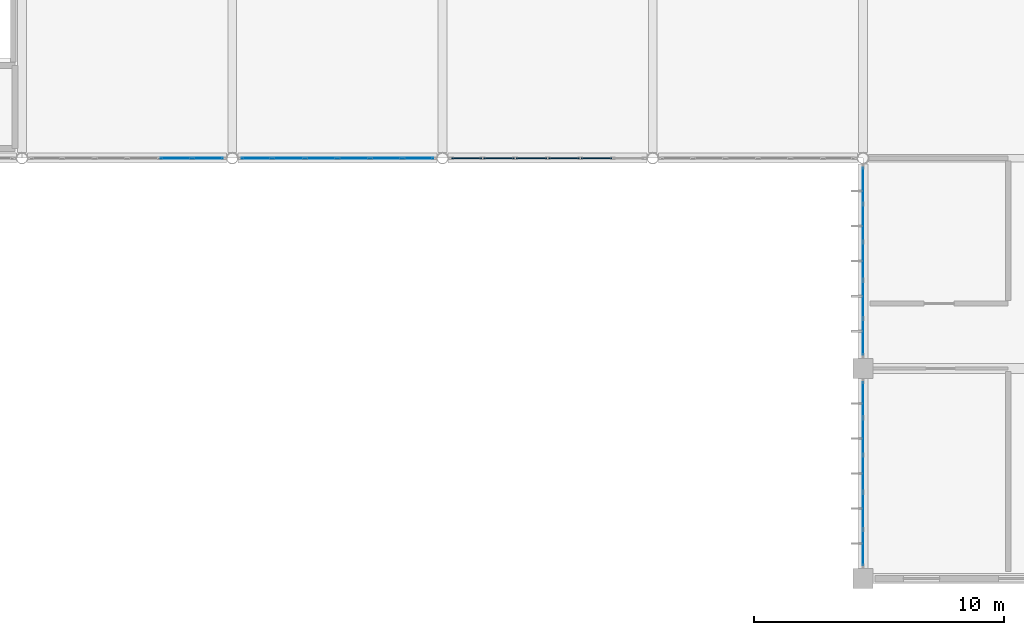
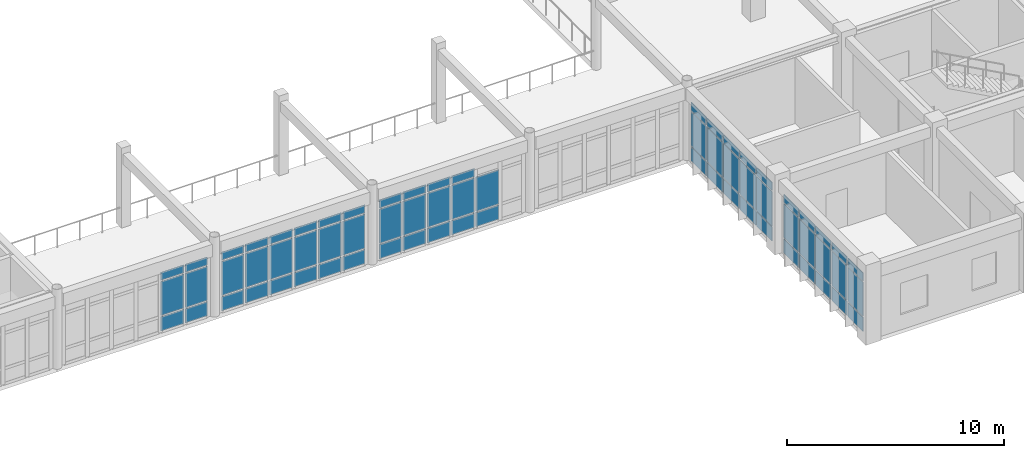
# One storey, part 74 of 144: 68 plates, 5 elements without a shape of their own.
"""IFC4 building model written with IfcOpenShell, lengths in metres."""

import ifcopenshell
import ifcopenshell.guid

model = None  # the IFC model being written
_history = None  # IfcOwnerHistory: only IFC2X3 demands one
_inside = {}  # id of a spatial element -> (the spatial element, [elements in it])
_under = {}  # id of a project, library or spatial element -> (it, [spatial elements below it])
_declared = {}  # id of a project -> (the project, [libraries it declares])
_typed = {}  # id of a type object -> (the type object, [elements of that type])
_made_of = {}  # id of a material, layer set ... -> (it, [elements and type objects made of it])


def new_model(schema):
    """Start an empty IFC model of exactly this schema.

    Asked for "IFC4X3", IfcOpenShell would pick the latest addendum, in which some entities
    have other attributes; the version numbers below select the first issue.
    IFC2X3 requires an IfcOwnerHistory on every rooted entity: one is made here for all.
    """
    global model, _history
    if schema == "IFC4X3":
        model = ifcopenshell.file(schema_version=(4, 3, 0, 0))
    else:
        model = ifcopenshell.file(schema=schema)
    _inside.clear()
    _under.clear()
    _declared.clear()
    _typed.clear()
    _made_of.clear()
    _history = None
    if model.schema == "IFC2X3":
        org = make("IfcOrganization", Name="unknown")
        user = make(
            "IfcPersonAndOrganization",
            ThePerson=make("IfcPerson", FamilyName="unknown"),
            TheOrganization=org,
        )
        app = make(
            "IfcApplication",
            ApplicationDeveloper=org,
            Version="unknown",
            ApplicationFullName="unknown",
            ApplicationIdentifier="unknown",
        )
        _history = make(
            "IfcOwnerHistory",
            OwningUser=user,
            OwningApplication=app,
            ChangeAction="ADDED",
            CreationDate=0,
        )
    return model


def make(cls, **values):
    """One entity of the class cls with the attributes given. An attribute that is None is left unset."""
    return model.create_entity(
        cls, **{name: value for name, value in values.items() if value is not None}
    )


def rooted(cls, **values):
    """An entity with a GlobalId (a new one), such as an element, a storey or a relation."""
    return make(cls, GlobalId=ifcopenshell.guid.new(), OwnerHistory=_history, **values)


def si_unit(unit_type, name, prefix=None):
    """IfcSIUnit, for example si_unit("LENGTHUNIT", "METRE", prefix="MILLI")."""
    return make("IfcSIUnit", UnitType=unit_type, Prefix=prefix, Name=name)


def assignment(units):
    """IfcUnitAssignment: the units of a project."""
    return None if units is None else make("IfcUnitAssignment", Units=units)


def point(xyz):
    """IfcCartesianPoint."""
    return None if xyz is None else make("IfcCartesianPoint", Coordinates=xyz)


def direction(xyz):
    """IfcDirection."""
    return None if xyz is None else make("IfcDirection", DirectionRatios=xyz)


def frame(location, z_axis=None, x_axis=None):
    """IfcAxis2Placement3D, a coordinate frame: its origin and axes. An axis left out is left unset."""
    return make(
        "IfcAxis2Placement3D",
        Location=point(location),
        Axis=direction(z_axis),
        RefDirection=direction(x_axis),
    )


def frame_2d(location, x_axis=None):
    """IfcAxis2Placement2D, a coordinate frame in the plane: its origin and x axis."""
    return make(
        "IfcAxis2Placement2D", Location=point(location), RefDirection=direction(x_axis)
    )


def origin():
    """The frame at (0, 0, 0) with its axes left unset."""
    return frame((0.0, 0.0, 0.0))


def origin_2d():
    """The frame at (0, 0) in the plane with its x axis left unset."""
    return frame_2d((0.0, 0.0))


def place(relative_to, where):
    """IfcLocalPlacement: puts the frame where relative to a parent placement (None: the world)."""
    return make(
        "IfcLocalPlacement", PlacementRelTo=relative_to, RelativePlacement=where
    )


def context(
    kind, dimensions, precision=None, world=None, true_north=None, identifier=None
):
    """IfcGeometricRepresentationContext, for example the 3D "Model" context."""
    return make(
        "IfcGeometricRepresentationContext",
        ContextIdentifier=identifier,
        ContextType=kind,
        CoordinateSpaceDimension=dimensions,
        Precision=precision,
        WorldCoordinateSystem=world,
        TrueNorth=true_north,
    )


def subcontext(parent, identifier, kind, view, scale=None):
    """IfcGeometricRepresentationSubContext, for example "Body" below "Model"."""
    return make(
        "IfcGeometricRepresentationSubContext",
        ContextIdentifier=identifier,
        ContextType=kind,
        ParentContext=parent,
        TargetScale=scale,
        TargetView=view,
    )


def project(units=None, contexts=None):
    """IfcProject with its units and contexts."""
    return rooted(
        "IfcProject",
        Name="project",
        RepresentationContexts=contexts,
        UnitsInContext=assignment(units),
    )


def spatial(cls, under=None, at=None, **own):
    """A site, building, storey or space (cls), placed at a placement, below another one or the project."""
    s = rooted(cls, ObjectPlacement=at, **own)
    if under is not None:
        _under.setdefault(under.id(), (under, []))[1].append(s)
    return s


def profile(cls, at=None, kind="AREA", **sizes):
    """A parametric profile (cls). Its sizes go by their IFC names, for example OverallWidth=200.0."""
    return make(cls, ProfileType=kind, Position=at, **sizes)


def rectangle(**sizes):
    """IfcRectangleProfileDef."""
    return profile("IfcRectangleProfileDef", **sizes)


def extrude(swept, where, along, depth):
    """IfcExtrudedAreaSolid: the profile swept, set in the frame where, extruded along a direction by depth."""
    return make(
        "IfcExtrudedAreaSolid",
        SweptArea=swept,
        Position=where,
        ExtrudedDirection=direction(along),
        Depth=depth,
    )


def shape(context_of_items, identifier, shape_type, items):
    """IfcShapeRepresentation: the items that make up one representation, for example the "Body"."""
    return make(
        "IfcShapeRepresentation",
        ContextOfItems=context_of_items,
        RepresentationIdentifier=identifier,
        RepresentationType=shape_type,
        Items=items,
    )


def material(Name=None, Category=None):
    """IfcMaterial."""
    return make("IfcMaterial", Name=Name, Category=Category)


def layer(
    of_material, thickness, ventilated=None, Name=None, Category=None, Priority=None
):
    """IfcMaterialLayer: one layer of a wall or slab, of a material (None: an air gap)."""
    return make(
        "IfcMaterialLayer",
        Material=of_material,
        LayerThickness=thickness,
        IsVentilated=ventilated,
        Name=Name,
        Category=Category,
        Priority=Priority,
    )


def layer_set(layers, Name=None):
    """IfcMaterialLayerSet."""
    return make("IfcMaterialLayerSet", MaterialLayers=layers, LayerSetName=Name)


def made_of(thing, what):
    """Note that an element or type object is made of a material, layer set ...; save() writes the relation."""
    if what is not None:
        _made_of.setdefault(what.id(), (what, []))[1].append(thing)
    return thing


def type_object(cls, material=None, **own):
    """A type object (cls), such as IfcWallType, which elements share."""
    return made_of(rooted(cls, **own), material)


def element(
    cls,
    number,
    at=None,
    inside=None,
    cuts=None,
    type_object=None,
    material=None,
    context=None,
    identifier="Body",
    shape_type=None,
    held_by="IfcProductDefinitionShape",
    body=None,
    shapes=None,
    **own,
):
    """One element of the class cls, such as IfcWall. Its Tag is "e" and its number.

    at: its placement. inside: the storey or other place that contains it. cuts: it is an
    opening in that element (IfcRelVoidsElement). A single representation is given by context,
    identifier, shape_type and body (its items); several are given by shapes. held_by: the class
    of the entity that holds the representations. save() writes the other relations.
    """
    e = rooted(cls, Tag="e%d" % number, ObjectPlacement=at, **own)
    if body is not None:
        shapes = [shape(context, identifier, shape_type, body)]
    if shapes is not None:
        e.Representation = make(held_by, Representations=shapes)
    if inside is not None:
        _inside.setdefault(inside.id(), (inside, []))[1].append(e)
    if cuts is not None:
        rooted(
            "IfcRelVoidsElement", RelatingBuildingElement=cuts, RelatedOpeningElement=e
        )
    if type_object is not None:
        _typed.setdefault(type_object.id(), (type_object, []))[1].append(e)
    return made_of(e, material)


def aggregate(whole, parts):
    """IfcRelAggregates: a whole, such as a stair, and the parts it consists of."""
    return rooted("IfcRelAggregates", RelatingObject=whole, RelatedObjects=parts)


def save(model, path):
    """Write the relations noted so far, then the file.

    IfcRelAggregates (storeys below a building ...), IfcRelContainedInSpatialStructure (elements
    in a storey), IfcRelDefinesByType, IfcRelAssociatesMaterial and IfcRelDeclares: one each for
    every whole, place, type object, material and project.
    """
    for whole, parts in _under.values():
        aggregate(whole, parts)
    for where, things in _inside.values():
        rooted(
            "IfcRelContainedInSpatialStructure",
            RelatedElements=things,
            RelatingStructure=where,
        )
    for kind, things in _typed.values():
        rooted("IfcRelDefinesByType", RelatedObjects=things, RelatingType=kind)
    for what, things in _made_of.values():
        rooted("IfcRelAssociatesMaterial", RelatedObjects=things, RelatingMaterial=what)
    for by, libraries in _declared.values():
        rooted("IfcRelDeclares", RelatingContext=by, RelatedDefinitions=libraries)
    model.write(path)


model = new_model("IFC4")

# Units and contexts
model_context = context("Model", 3, precision=1e-05, world=origin(), true_north=direction((0.0, 1.0)))
body_context = subcontext(model_context, "Body", "Model", "MODEL_VIEW")
ifc_project = project(units=[si_unit("LENGTHUNIT", "METRE"), si_unit("AREAUNIT", "SQUARE_METRE"), si_unit("VOLUMEUNIT", "CUBIC_METRE"), si_unit("PLANEANGLEUNIT", "RADIAN"), si_unit("MASSUNIT", "GRAM", prefix="KILO")], contexts=[model_context])

# Site, building, storey
site_placement = place(None, origin())
site = spatial("IfcSite", under=ifc_project, at=site_placement, CompositionType="ELEMENT")
building_placement = place(site_placement, origin())
building = spatial("IfcBuilding", under=site, at=building_placement, Name="Bramfleet General Hospital", CompositionType="ELEMENT")
storey_placement = place(building_placement, frame((0.0, 0.0, 4.800048828125)))
storey = spatial("IfcBuildingStorey", under=building, at=storey_placement, Name="L01", CompositionType="ELEMENT", Elevation=4.800048828125)

# Curtain wall, plates
ifc_material_1 = material(Name="Anodised aluminium and low-E triple glazing", Category="aluminium")
ifc_layer_1 = layer(ifc_material_1, 0.179931640625, Name="CWT-CW-05")
ifc_layer_set_1 = layer_set([ifc_layer_1], Name="Anodised aluminium and low-E triple glazing")
curtain_wall_type_1 = type_object("IfcCurtainWallType", Name="CWT-CW-05", PredefinedType="USERDEFINED", material=ifc_layer_set_1)
curtain_wall_1_placement = place(storey_placement, origin())
curtain_wall_1 = element("IfcCurtainWall", 1, at=curtain_wall_1_placement, inside=storey, type_object=curtain_wall_type_1, Name="L01 Curtain Wall 77", ObjectType="Unitised curtain wall", PredefinedType="USERDEFINED")
ifc_material_2 = material(Name="Low-E laminated safety glass", Category="glass")
ifc_layer_2 = layer(ifc_material_2, 0.028076171875, Name="CWP-GLZ-1")
ifc_layer_set_2 = layer_set([ifc_layer_2], Name="Low-E laminated safety glass")
plate_type_1 = type_object("IfcPlateType", Name="CWP-GLZ-1", PredefinedType="CURTAIN_PANEL", material=ifc_layer_set_2)
plate_1_placement = place(storey_placement, frame((92.39990234375, 1.237548828125, 0.06494140625), z_axis=(0.0, 0.0, 1.0), x_axis=(0.0, 1.0, 0.0)))
plate_1 = element("IfcPlate", 2, at=plate_1_placement, type_object=plate_type_1, Name="CW-05 panel 1.1", PredefinedType="CURTAIN_PANEL", context=body_context, shape_type="SweptSolid", body=[
    extrude(rectangle(XDim=1.385009765625, YDim=0.028076171875, at=origin_2d()), origin(), (0.0, 0.0, 1.0), 0.802490234375),
])
plate_2_placement = place(storey_placement, frame((92.39990234375, 1.237548828125, 0.9326171875), z_axis=(0.0, 0.0, 1.0), x_axis=(0.0, 1.0, 0.0)))
plate_2 = element("IfcPlate", 3, at=plate_2_placement, type_object=plate_type_1, Name="CW-05 panel 1.2", PredefinedType="CURTAIN_PANEL", context=body_context, shape_type="SweptSolid", body=[
    extrude(rectangle(XDim=1.385009765625, YDim=0.028076171875, at=origin_2d()), origin(), (0.0, 0.0, 1.0), 1.925048828125),
])
plate_3_placement = place(storey_placement, frame((92.39990234375, 1.237548828125, 2.92236328125), z_axis=(0.0, 0.0, 1.0), x_axis=(0.0, 1.0, 0.0)))
plate_3 = element("IfcPlate", 4, at=plate_3_placement, type_object=plate_type_1, Name="CW-05 panel 1.3", PredefinedType="CURTAIN_PANEL", context=body_context, shape_type="SweptSolid", body=[
    extrude(rectangle(XDim=1.385009765625, YDim=0.028076171875, at=origin_2d()), origin(), (0.0, 0.0, 1.0), 0.452392578125),
])
plate_4_placement = place(storey_placement, frame((92.39990234375, 2.7099609375, 0.06494140625), z_axis=(0.0, 0.0, 1.0), x_axis=(0.0, 1.0, 0.0)))
plate_4 = element("IfcPlate", 5, at=plate_4_placement, type_object=plate_type_1, Name="CW-05 panel 2.1", PredefinedType="CURTAIN_PANEL", context=body_context, shape_type="SweptSolid", body=[
    extrude(rectangle(XDim=1.419921875, YDim=0.028076171875, at=origin_2d()), origin(), (0.0, 0.0, 1.0), 0.802490234375),
])
plate_5_placement = place(storey_placement, frame((92.39990234375, 2.7099609375, 0.9326171875), z_axis=(0.0, 0.0, 1.0), x_axis=(0.0, 1.0, 0.0)))
plate_5 = element("IfcPlate", 6, at=plate_5_placement, type_object=plate_type_1, Name="CW-05 panel 2.2", PredefinedType="CURTAIN_PANEL", context=body_context, shape_type="SweptSolid", body=[
    extrude(rectangle(XDim=1.419921875, YDim=0.028076171875, at=origin_2d()), origin(), (0.0, 0.0, 1.0), 1.925048828125),
])
plate_6_placement = place(storey_placement, frame((92.39990234375, 2.7099609375, 2.92236328125), z_axis=(0.0, 0.0, 1.0), x_axis=(0.0, 1.0, 0.0)))
plate_6 = element("IfcPlate", 7, at=plate_6_placement, type_object=plate_type_1, Name="CW-05 panel 2.3", PredefinedType="CURTAIN_PANEL", context=body_context, shape_type="SweptSolid", body=[
    extrude(rectangle(XDim=1.419921875, YDim=0.028076171875, at=origin_2d()), origin(), (0.0, 0.0, 1.0), 0.452392578125),
])
plate_7_placement = place(storey_placement, frame((92.39990234375, 4.199951171875, 0.06494140625), z_axis=(0.0, 0.0, 1.0), x_axis=(0.0, 1.0, 0.0)))
plate_7 = element("IfcPlate", 8, at=plate_7_placement, type_object=plate_type_1, Name="CW-05 panel 3.1", PredefinedType="CURTAIN_PANEL", context=body_context, shape_type="SweptSolid", body=[
    extrude(rectangle(XDim=1.419921875, YDim=0.028076171875, at=origin_2d()), origin(), (0.0, 0.0, 1.0), 0.802490234375),
])
plate_8_placement = place(storey_placement, frame((92.39990234375, 4.199951171875, 0.9326171875), z_axis=(0.0, 0.0, 1.0), x_axis=(0.0, 1.0, 0.0)))
plate_8 = element("IfcPlate", 9, at=plate_8_placement, type_object=plate_type_1, Name="CW-05 panel 3.2", PredefinedType="CURTAIN_PANEL", context=body_context, shape_type="SweptSolid", body=[
    extrude(rectangle(XDim=1.419921875, YDim=0.028076171875, at=origin_2d()), origin(), (0.0, 0.0, 1.0), 1.925048828125),
])
plate_9_placement = place(storey_placement, frame((92.39990234375, 4.199951171875, 2.92236328125), z_axis=(0.0, 0.0, 1.0), x_axis=(0.0, 1.0, 0.0)))
plate_9 = element("IfcPlate", 10, at=plate_9_placement, type_object=plate_type_1, Name="CW-05 panel 3.3", PredefinedType="CURTAIN_PANEL", context=body_context, shape_type="SweptSolid", body=[
    extrude(rectangle(XDim=1.419921875, YDim=0.028076171875, at=origin_2d()), origin(), (0.0, 0.0, 1.0), 0.452392578125),
])
plate_10_placement = place(storey_placement, frame((92.39990234375, 5.68994140625, 0.06494140625), z_axis=(0.0, 0.0, 1.0), x_axis=(0.0, 1.0, 0.0)))
plate_10 = element("IfcPlate", 11, at=plate_10_placement, type_object=plate_type_1, Name="CW-05 panel 4.1", PredefinedType="CURTAIN_PANEL", context=body_context, shape_type="SweptSolid", body=[
    extrude(rectangle(XDim=1.419921875, YDim=0.028076171875, at=origin_2d()), origin(), (0.0, 0.0, 1.0), 0.802490234375),
])
plate_11_placement = place(storey_placement, frame((92.39990234375, 5.68994140625, 0.9326171875), z_axis=(0.0, 0.0, 1.0), x_axis=(0.0, 1.0, 0.0)))
plate_11 = element("IfcPlate", 12, at=plate_11_placement, type_object=plate_type_1, Name="CW-05 panel 4.2", PredefinedType="CURTAIN_PANEL", context=body_context, shape_type="SweptSolid", body=[
    extrude(rectangle(XDim=1.419921875, YDim=0.028076171875, at=origin_2d()), origin(), (0.0, 0.0, 1.0), 1.925048828125),
])
plate_12_placement = place(storey_placement, frame((92.39990234375, 5.68994140625, 2.92236328125), z_axis=(0.0, 0.0, 1.0), x_axis=(0.0, 1.0, 0.0)))
plate_12 = element("IfcPlate", 13, at=plate_12_placement, type_object=plate_type_1, Name="CW-05 panel 4.3", PredefinedType="CURTAIN_PANEL", context=body_context, shape_type="SweptSolid", body=[
    extrude(rectangle(XDim=1.419921875, YDim=0.028076171875, at=origin_2d()), origin(), (0.0, 0.0, 1.0), 0.452392578125),
])
plate_13_placement = place(storey_placement, frame((92.39990234375, 7.16259765625, 0.06494140625), z_axis=(0.0, 0.0, 1.0), x_axis=(0.0, 1.0, 0.0)))
plate_13 = element("IfcPlate", 14, at=plate_13_placement, type_object=plate_type_1, Name="CW-05 panel 5.1", PredefinedType="CURTAIN_PANEL", context=body_context, shape_type="SweptSolid", body=[
    extrude(rectangle(XDim=1.385009765625, YDim=0.028076171875, at=origin_2d()), origin(), (0.0, 0.0, 1.0), 0.802490234375),
])
plate_14_placement = place(storey_placement, frame((92.39990234375, 7.16259765625, 0.9326171875), z_axis=(0.0, 0.0, 1.0), x_axis=(0.0, 1.0, 0.0)))
plate_14 = element("IfcPlate", 15, at=plate_14_placement, type_object=plate_type_1, Name="CW-05 panel 5.2", PredefinedType="CURTAIN_PANEL", context=body_context, shape_type="SweptSolid", body=[
    extrude(rectangle(XDim=1.385009765625, YDim=0.028076171875, at=origin_2d()), origin(), (0.0, 0.0, 1.0), 1.925048828125),
])
plate_15_placement = place(storey_placement, frame((92.39990234375, 7.16259765625, 2.92236328125), z_axis=(0.0, 0.0, 1.0), x_axis=(0.0, 1.0, 0.0)))
plate_15 = element("IfcPlate", 16, at=plate_15_placement, type_object=plate_type_1, Name="CW-05 panel 5.3", PredefinedType="CURTAIN_PANEL", context=body_context, shape_type="SweptSolid", body=[
    extrude(rectangle(XDim=1.385009765625, YDim=0.028076171875, at=origin_2d()), origin(), (0.0, 0.0, 1.0), 0.452392578125),
])
aggregate(curtain_wall_1, [plate_1, plate_2, plate_3, plate_4, plate_5, plate_6, plate_7, plate_8, plate_9, plate_10, plate_11, plate_12, plate_13, plate_14, plate_15])

ifc_layer_3 = layer(ifc_material_1, 0.179931640625, Name="CWT-CW-09")
ifc_layer_set_3 = layer_set([ifc_layer_3], Name="Anodised aluminium and low-E triple glazing")
curtain_wall_type_2 = type_object("IfcCurtainWallType", Name="CWT-CW-09", PredefinedType="USERDEFINED", material=ifc_layer_set_3)
curtain_wall_2_placement = place(storey_placement, origin())
curtain_wall_2 = element("IfcCurtainWall", 17, at=curtain_wall_2_placement, inside=storey, type_object=curtain_wall_type_2, Name="L01 Curtain Wall 81", ObjectType="Unitised curtain wall", PredefinedType="USERDEFINED")
plate_16_placement = place(storey_placement, frame((74.6279296875, 16.800048828125, 0.06494140625), z_axis=(0.0, 0.0, 1.0), x_axis=(-1.0, 0.0, 0.0)))
plate_16 = element("IfcPlate", 18, at=plate_16_placement, type_object=plate_type_1, Name="CW-09 panel 1.1", PredefinedType="CURTAIN_PANEL", context=body_context, shape_type="SweptSolid", body=[
    extrude(rectangle(XDim=1.186279296875, YDim=0.028076171875, at=origin_2d()), origin(), (0.0, 0.0, 1.0), 0.802490234375),
])
plate_17_placement = place(storey_placement, frame((74.6279296875, 16.800048828125, 0.9326171875), z_axis=(0.0, 0.0, 1.0), x_axis=(-1.0, 0.0, 0.0)))
plate_17 = element("IfcPlate", 19, at=plate_17_placement, type_object=plate_type_1, Name="CW-09 panel 1.2", PredefinedType="CURTAIN_PANEL", context=body_context, shape_type="SweptSolid", body=[
    extrude(rectangle(XDim=1.186279296875, YDim=0.028076171875, at=origin_2d()), origin(), (0.0, 0.0, 1.0), 1.925048828125),
])
plate_18_placement = place(storey_placement, frame((74.6279296875, 16.800048828125, 2.92236328125), z_axis=(0.0, 0.0, 1.0), x_axis=(-1.0, 0.0, 0.0)))
plate_18 = element("IfcPlate", 20, at=plate_18_placement, type_object=plate_type_1, Name="CW-09 panel 1.3", PredefinedType="CURTAIN_PANEL", context=body_context, shape_type="SweptSolid", body=[
    extrude(rectangle(XDim=1.186279296875, YDim=0.028076171875, at=origin_2d()), origin(), (0.0, 0.0, 1.0), 0.452392578125),
])
plate_19_placement = place(storey_placement, frame((73.347900390625, 16.800048828125, 0.06494140625), z_axis=(0.0, 0.0, 1.0), x_axis=(-1.0, 0.0, 0.0)))
plate_19 = element("IfcPlate", 21, at=plate_19_placement, type_object=plate_type_1, Name="CW-09 panel 2.1", PredefinedType="CURTAIN_PANEL", context=body_context, shape_type="SweptSolid", body=[
    extrude(rectangle(XDim=1.2236328125, YDim=0.028076171875, at=origin_2d()), origin(), (0.0, 0.0, 1.0), 0.802490234375),
])
plate_20_placement = place(storey_placement, frame((73.347900390625, 16.800048828125, 0.9326171875), z_axis=(0.0, 0.0, 1.0), x_axis=(-1.0, 0.0, 0.0)))
plate_20 = element("IfcPlate", 22, at=plate_20_placement, type_object=plate_type_1, Name="CW-09 panel 2.2", PredefinedType="CURTAIN_PANEL", context=body_context, shape_type="SweptSolid", body=[
    extrude(rectangle(XDim=1.2236328125, YDim=0.028076171875, at=origin_2d()), origin(), (0.0, 0.0, 1.0), 1.925048828125),
])
plate_21_placement = place(storey_placement, frame((73.347900390625, 16.800048828125, 2.92236328125), z_axis=(0.0, 0.0, 1.0), x_axis=(-1.0, 0.0, 0.0)))
plate_21 = element("IfcPlate", 23, at=plate_21_placement, type_object=plate_type_1, Name="CW-09 panel 2.3", PredefinedType="CURTAIN_PANEL", context=body_context, shape_type="SweptSolid", body=[
    extrude(rectangle(XDim=1.2236328125, YDim=0.028076171875, at=origin_2d()), origin(), (0.0, 0.0, 1.0), 0.452392578125),
])
plate_22_placement = place(storey_placement, frame((72.04931640625, 16.800048828125, 0.06494140625), z_axis=(0.0, 0.0, 1.0), x_axis=(-1.0, 0.0, 0.0)))
plate_22 = element("IfcPlate", 24, at=plate_22_placement, type_object=plate_type_1, Name="CW-09 panel 3.1", PredefinedType="CURTAIN_PANEL", context=body_context, shape_type="SweptSolid", body=[
    extrude(rectangle(XDim=1.2236328125, YDim=0.028076171875, at=origin_2d()), origin(), (0.0, 0.0, 1.0), 0.802490234375),
])
plate_23_placement = place(storey_placement, frame((72.04931640625, 16.800048828125, 0.9326171875), z_axis=(0.0, 0.0, 1.0), x_axis=(-1.0, 0.0, 0.0)))
plate_23 = element("IfcPlate", 25, at=plate_23_placement, type_object=plate_type_1, Name="CW-09 panel 3.2", PredefinedType="CURTAIN_PANEL", context=body_context, shape_type="SweptSolid", body=[
    extrude(rectangle(XDim=1.2236328125, YDim=0.028076171875, at=origin_2d()), origin(), (0.0, 0.0, 1.0), 1.925048828125),
])
plate_24_placement = place(storey_placement, frame((72.04931640625, 16.800048828125, 2.92236328125), z_axis=(0.0, 0.0, 1.0), x_axis=(-1.0, 0.0, 0.0)))
plate_24 = element("IfcPlate", 26, at=plate_24_placement, type_object=plate_type_1, Name="CW-09 panel 3.3", PredefinedType="CURTAIN_PANEL", context=body_context, shape_type="SweptSolid", body=[
    extrude(rectangle(XDim=1.2236328125, YDim=0.028076171875, at=origin_2d()), origin(), (0.0, 0.0, 1.0), 0.452392578125),
])
plate_25_placement = place(storey_placement, frame((70.750732421875, 16.800048828125, 0.06494140625), z_axis=(0.0, 0.0, 1.0), x_axis=(-1.0, 0.0, 0.0)))
plate_25 = element("IfcPlate", 27, at=plate_25_placement, type_object=plate_type_1, Name="CW-09 panel 4.1", PredefinedType="CURTAIN_PANEL", context=body_context, shape_type="SweptSolid", body=[
    extrude(rectangle(XDim=1.2236328125, YDim=0.028076171875, at=origin_2d()), origin(), (0.0, 0.0, 1.0), 0.802490234375),
])
plate_26_placement = place(storey_placement, frame((70.750732421875, 16.800048828125, 0.9326171875), z_axis=(0.0, 0.0, 1.0), x_axis=(-1.0, 0.0, 0.0)))
plate_26 = element("IfcPlate", 28, at=plate_26_placement, type_object=plate_type_1, Name="CW-09 panel 4.2", PredefinedType="CURTAIN_PANEL", context=body_context, shape_type="SweptSolid", body=[
    extrude(rectangle(XDim=1.2236328125, YDim=0.028076171875, at=origin_2d()), origin(), (0.0, 0.0, 1.0), 1.925048828125),
])
plate_27_placement = place(storey_placement, frame((70.750732421875, 16.800048828125, 2.92236328125), z_axis=(0.0, 0.0, 1.0), x_axis=(-1.0, 0.0, 0.0)))
plate_27 = element("IfcPlate", 29, at=plate_27_placement, type_object=plate_type_1, Name="CW-09 panel 4.3", PredefinedType="CURTAIN_PANEL", context=body_context, shape_type="SweptSolid", body=[
    extrude(rectangle(XDim=1.2236328125, YDim=0.028076171875, at=origin_2d()), origin(), (0.0, 0.0, 1.0), 0.452392578125),
])
plate_28_placement = place(storey_placement, frame((69.451904296875, 16.800048828125, 0.06494140625), z_axis=(0.0, 0.0, 1.0), x_axis=(-1.0, 0.0, 0.0)))
plate_28 = element("IfcPlate", 30, at=plate_28_placement, type_object=plate_type_1, Name="CW-09 panel 5.1", PredefinedType="CURTAIN_PANEL", context=body_context, shape_type="SweptSolid", body=[
    extrude(rectangle(XDim=1.2236328125, YDim=0.028076171875, at=origin_2d()), origin(), (0.0, 0.0, 1.0), 0.802490234375),
])
plate_29_placement = place(storey_placement, frame((69.451904296875, 16.800048828125, 0.9326171875), z_axis=(0.0, 0.0, 1.0), x_axis=(-1.0, 0.0, 0.0)))
plate_29 = element("IfcPlate", 31, at=plate_29_placement, type_object=plate_type_1, Name="CW-09 panel 5.2", PredefinedType="CURTAIN_PANEL", context=body_context, shape_type="SweptSolid", body=[
    extrude(rectangle(XDim=1.2236328125, YDim=0.028076171875, at=origin_2d()), origin(), (0.0, 0.0, 1.0), 1.925048828125),
])
plate_30_placement = place(storey_placement, frame((69.451904296875, 16.800048828125, 2.92236328125), z_axis=(0.0, 0.0, 1.0), x_axis=(-1.0, 0.0, 0.0)))
plate_30 = element("IfcPlate", 32, at=plate_30_placement, type_object=plate_type_1, Name="CW-09 panel 5.3", PredefinedType="CURTAIN_PANEL", context=body_context, shape_type="SweptSolid", body=[
    extrude(rectangle(XDim=1.2236328125, YDim=0.028076171875, at=origin_2d()), origin(), (0.0, 0.0, 1.0), 0.452392578125),
])
plate_31_placement = place(storey_placement, frame((68.172119140625, 16.800048828125, 0.06494140625), z_axis=(0.0, 0.0, 1.0), x_axis=(-1.0, 0.0, 0.0)))
plate_31 = element("IfcPlate", 33, at=plate_31_placement, type_object=plate_type_1, Name="CW-09 panel 6.1", PredefinedType="CURTAIN_PANEL", context=body_context, shape_type="SweptSolid", body=[
    extrude(rectangle(XDim=1.186279296875, YDim=0.028076171875, at=origin_2d()), origin(), (0.0, 0.0, 1.0), 0.802490234375),
])
plate_32_placement = place(storey_placement, frame((68.172119140625, 16.800048828125, 0.9326171875), z_axis=(0.0, 0.0, 1.0), x_axis=(-1.0, 0.0, 0.0)))
plate_32 = element("IfcPlate", 34, at=plate_32_placement, type_object=plate_type_1, Name="CW-09 panel 6.2", PredefinedType="CURTAIN_PANEL", context=body_context, shape_type="SweptSolid", body=[
    extrude(rectangle(XDim=1.186279296875, YDim=0.028076171875, at=origin_2d()), origin(), (0.0, 0.0, 1.0), 1.925048828125),
])
plate_33_placement = place(storey_placement, frame((68.172119140625, 16.800048828125, 2.92236328125), z_axis=(0.0, 0.0, 1.0), x_axis=(-1.0, 0.0, 0.0)))
plate_33 = element("IfcPlate", 35, at=plate_33_placement, type_object=plate_type_1, Name="CW-09 panel 6.3", PredefinedType="CURTAIN_PANEL", context=body_context, shape_type="SweptSolid", body=[
    extrude(rectangle(XDim=1.186279296875, YDim=0.028076171875, at=origin_2d()), origin(), (0.0, 0.0, 1.0), 0.452392578125),
])
aggregate(curtain_wall_2, [plate_16, plate_17, plate_18, plate_19, plate_20, plate_21, plate_22, plate_23, plate_24, plate_25, plate_26, plate_27, plate_28, plate_29, plate_30, plate_31, plate_32, plate_33])

ifc_layer_4 = layer(ifc_material_1, 0.179931640625, Name="CWT-CW-06")
ifc_layer_set_4 = layer_set([ifc_layer_4], Name="Anodised aluminium and low-E triple glazing")
curtain_wall_type_3 = type_object("IfcCurtainWallType", Name="CWT-CW-06", PredefinedType="USERDEFINED", material=ifc_layer_set_4)
curtain_wall_3_placement = place(storey_placement, origin())
curtain_wall_3 = element("IfcCurtainWall", 36, at=curtain_wall_3_placement, inside=storey, type_object=curtain_wall_type_3, Name="L01 Curtain Wall 78", ObjectType="Unitised curtain wall", PredefinedType="USERDEFINED")
ifc_layer_5 = layer(ifc_material_2, 0.031982421875, Name="CWP-GLZ-2")
ifc_layer_set_5 = layer_set([ifc_layer_5], Name="Low-E laminated safety glass")
plate_type_2 = type_object("IfcPlateType", Name="CWP-GLZ-2", PredefinedType="CURTAIN_PANEL", material=ifc_layer_set_5)
plate_34_placement = place(storey_placement, frame((92.39990234375, 9.65478515625, 0.06494140625), z_axis=(0.0, 0.0, 1.0), x_axis=(0.0, 1.0, 0.0)))
plate_34 = element("IfcPlate", 37, at=plate_34_placement, type_object=plate_type_2, Name="CW-06 panel 1.1", PredefinedType="CURTAIN_PANEL", context=body_context, shape_type="SweptSolid", body=[
    extrude(rectangle(XDim=1.41943359375, YDim=0.031982421875, at=origin_2d()), origin(), (0.0, 0.0, 1.0), 0.802490234375),
])
plate_35_placement = place(storey_placement, frame((92.39990234375, 9.65478515625, 0.9326171875), z_axis=(0.0, 0.0, 1.0), x_axis=(0.0, 1.0, 0.0)))
plate_35 = element("IfcPlate", 38, at=plate_35_placement, type_object=plate_type_2, Name="CW-06 panel 1.2", PredefinedType="CURTAIN_PANEL", context=body_context, shape_type="SweptSolid", body=[
    extrude(rectangle(XDim=1.41943359375, YDim=0.031982421875, at=origin_2d()), origin(), (0.0, 0.0, 1.0), 1.925048828125),
])
plate_36_placement = place(storey_placement, frame((92.39990234375, 9.65478515625, 2.92236328125), z_axis=(0.0, 0.0, 1.0), x_axis=(0.0, 1.0, 0.0)))
plate_36 = element("IfcPlate", 39, at=plate_36_placement, type_object=plate_type_2, Name="CW-06 panel 1.3", PredefinedType="CURTAIN_PANEL", context=body_context, shape_type="SweptSolid", body=[
    extrude(rectangle(XDim=1.41943359375, YDim=0.031982421875, at=origin_2d()), origin(), (0.0, 0.0, 1.0), 0.452392578125),
])
plate_37_placement = place(storey_placement, frame((92.39990234375, 11.16162109375, 0.06494140625), z_axis=(0.0, 0.0, 1.0), x_axis=(0.0, 1.0, 0.0)))
plate_37 = element("IfcPlate", 40, at=plate_37_placement, type_object=plate_type_2, Name="CW-06 panel 2.1", PredefinedType="CURTAIN_PANEL", context=body_context, shape_type="SweptSolid", body=[
    extrude(rectangle(XDim=1.454345703125, YDim=0.031982421875, at=origin_2d()), origin(), (0.0, 0.0, 1.0), 0.802490234375),
])
plate_38_placement = place(storey_placement, frame((92.39990234375, 11.16162109375, 0.9326171875), z_axis=(0.0, 0.0, 1.0), x_axis=(0.0, 1.0, 0.0)))
plate_38 = element("IfcPlate", 41, at=plate_38_placement, type_object=plate_type_2, Name="CW-06 panel 2.2", PredefinedType="CURTAIN_PANEL", context=body_context, shape_type="SweptSolid", body=[
    extrude(rectangle(XDim=1.454345703125, YDim=0.031982421875, at=origin_2d()), origin(), (0.0, 0.0, 1.0), 1.925048828125),
])
plate_39_placement = place(storey_placement, frame((92.39990234375, 11.16162109375, 2.92236328125), z_axis=(0.0, 0.0, 1.0), x_axis=(0.0, 1.0, 0.0)))
plate_39 = element("IfcPlate", 42, at=plate_39_placement, type_object=plate_type_2, Name="CW-06 panel 2.3", PredefinedType="CURTAIN_PANEL", context=body_context, shape_type="SweptSolid", body=[
    extrude(rectangle(XDim=1.454345703125, YDim=0.031982421875, at=origin_2d()), origin(), (0.0, 0.0, 1.0), 0.452392578125),
])
plate_40_placement = place(storey_placement, frame((92.39990234375, 12.68603515625, 0.06494140625), z_axis=(0.0, 0.0, 1.0), x_axis=(0.0, 1.0, 0.0)))
plate_40 = element("IfcPlate", 43, at=plate_40_placement, type_object=plate_type_2, Name="CW-06 panel 3.1", PredefinedType="CURTAIN_PANEL", context=body_context, shape_type="SweptSolid", body=[
    extrude(rectangle(XDim=1.454345703125, YDim=0.031982421875, at=origin_2d()), origin(), (0.0, 0.0, 1.0), 0.802490234375),
])
plate_41_placement = place(storey_placement, frame((92.39990234375, 12.68603515625, 0.9326171875), z_axis=(0.0, 0.0, 1.0), x_axis=(0.0, 1.0, 0.0)))
plate_41 = element("IfcPlate", 44, at=plate_41_placement, type_object=plate_type_2, Name="CW-06 panel 3.2", PredefinedType="CURTAIN_PANEL", context=body_context, shape_type="SweptSolid", body=[
    extrude(rectangle(XDim=1.454345703125, YDim=0.031982421875, at=origin_2d()), origin(), (0.0, 0.0, 1.0), 1.925048828125),
])
plate_42_placement = place(storey_placement, frame((92.39990234375, 12.68603515625, 2.92236328125), z_axis=(0.0, 0.0, 1.0), x_axis=(0.0, 1.0, 0.0)))
plate_42 = element("IfcPlate", 45, at=plate_42_placement, type_object=plate_type_2, Name="CW-06 panel 3.3", PredefinedType="CURTAIN_PANEL", context=body_context, shape_type="SweptSolid", body=[
    extrude(rectangle(XDim=1.454345703125, YDim=0.031982421875, at=origin_2d()), origin(), (0.0, 0.0, 1.0), 0.452392578125),
])
plate_43_placement = place(storey_placement, frame((92.39990234375, 14.21044921875, 0.06494140625), z_axis=(0.0, 0.0, 1.0), x_axis=(0.0, 1.0, 0.0)))
plate_43 = element("IfcPlate", 46, at=plate_43_placement, type_object=plate_type_2, Name="CW-06 panel 4.1", PredefinedType="CURTAIN_PANEL", context=body_context, shape_type="SweptSolid", body=[
    extrude(rectangle(XDim=1.454345703125, YDim=0.031982421875, at=origin_2d()), origin(), (0.0, 0.0, 1.0), 0.802490234375),
])
plate_44_placement = place(storey_placement, frame((92.39990234375, 14.21044921875, 0.9326171875), z_axis=(0.0, 0.0, 1.0), x_axis=(0.0, 1.0, 0.0)))
plate_44 = element("IfcPlate", 47, at=plate_44_placement, type_object=plate_type_2, Name="CW-06 panel 4.2", PredefinedType="CURTAIN_PANEL", context=body_context, shape_type="SweptSolid", body=[
    extrude(rectangle(XDim=1.454345703125, YDim=0.031982421875, at=origin_2d()), origin(), (0.0, 0.0, 1.0), 1.925048828125),
])
plate_45_placement = place(storey_placement, frame((92.39990234375, 14.21044921875, 2.92236328125), z_axis=(0.0, 0.0, 1.0), x_axis=(0.0, 1.0, 0.0)))
plate_45 = element("IfcPlate", 48, at=plate_45_placement, type_object=plate_type_2, Name="CW-06 panel 4.3", PredefinedType="CURTAIN_PANEL", context=body_context, shape_type="SweptSolid", body=[
    extrude(rectangle(XDim=1.454345703125, YDim=0.031982421875, at=origin_2d()), origin(), (0.0, 0.0, 1.0), 0.452392578125),
])
plate_46_placement = place(storey_placement, frame((92.39990234375, 15.71728515625, 0.06494140625), z_axis=(0.0, 0.0, 1.0), x_axis=(0.0, 1.0, 0.0)))
plate_46 = element("IfcPlate", 49, at=plate_46_placement, type_object=plate_type_2, Name="CW-06 panel 5.1", PredefinedType="CURTAIN_PANEL", context=body_context, shape_type="SweptSolid", body=[
    extrude(rectangle(XDim=1.41943359375, YDim=0.031982421875, at=origin_2d()), origin(), (0.0, 0.0, 1.0), 0.802490234375),
])
plate_47_placement = place(storey_placement, frame((92.39990234375, 15.71728515625, 0.9326171875), z_axis=(0.0, 0.0, 1.0), x_axis=(0.0, 1.0, 0.0)))
plate_47 = element("IfcPlate", 50, at=plate_47_placement, type_object=plate_type_2, Name="CW-06 panel 5.2", PredefinedType="CURTAIN_PANEL", context=body_context, shape_type="SweptSolid", body=[
    extrude(rectangle(XDim=1.41943359375, YDim=0.031982421875, at=origin_2d()), origin(), (0.0, 0.0, 1.0), 1.925048828125),
])
plate_48_placement = place(storey_placement, frame((92.39990234375, 15.71728515625, 2.92236328125), z_axis=(0.0, 0.0, 1.0), x_axis=(0.0, 1.0, 0.0)))
plate_48 = element("IfcPlate", 51, at=plate_48_placement, type_object=plate_type_2, Name="CW-06 panel 5.3", PredefinedType="CURTAIN_PANEL", context=body_context, shape_type="SweptSolid", body=[
    extrude(rectangle(XDim=1.41943359375, YDim=0.031982421875, at=origin_2d()), origin(), (0.0, 0.0, 1.0), 0.452392578125),
])
aggregate(curtain_wall_3, [plate_34, plate_35, plate_36, plate_37, plate_38, plate_39, plate_40, plate_41, plate_42, plate_43, plate_44, plate_45, plate_46, plate_47, plate_48])

ifc_layer_6 = layer(ifc_material_1, 0.179931640625, Name="CWT-CW-10")
ifc_layer_set_6 = layer_set([ifc_layer_6], Name="Anodised aluminium and low-E triple glazing")
curtain_wall_type_4 = type_object("IfcCurtainWallType", Name="CWT-CW-10", PredefinedType="USERDEFINED", material=ifc_layer_set_6)
curtain_wall_4_placement = place(storey_placement, origin())
curtain_wall_4 = element("IfcCurtainWall", 52, at=curtain_wall_4_placement, inside=storey, type_object=curtain_wall_type_4, Name="L01 Curtain Wall 82", ObjectType="Stick curtain wall", PredefinedType="USERDEFINED")
plate_49_placement = place(storey_placement, frame((66.228759765625, 16.800048828125, 0.06494140625), z_axis=(0.0, 0.0, 1.0), x_axis=(-1.0, 0.0, 0.0)))
plate_49 = element("IfcPlate", 53, at=plate_49_placement, type_object=plate_type_2, Name="CW-10 panel 1.1", PredefinedType="CURTAIN_PANEL", context=body_context, shape_type="SweptSolid", body=[
    extrude(rectangle(XDim=1.1865234375, YDim=0.031982421875, at=origin_2d()), origin(), (0.0, 0.0, 1.0), 0.802490234375),
])
plate_50_placement = place(storey_placement, frame((66.228759765625, 16.800048828125, 0.9326171875), z_axis=(0.0, 0.0, 1.0), x_axis=(-1.0, 0.0, 0.0)))
plate_50 = element("IfcPlate", 54, at=plate_50_placement, type_object=plate_type_2, Name="CW-10 panel 1.2", PredefinedType="CURTAIN_PANEL", context=body_context, shape_type="SweptSolid", body=[
    extrude(rectangle(XDim=1.1865234375, YDim=0.031982421875, at=origin_2d()), origin(), (0.0, 0.0, 1.0), 1.925048828125),
])
plate_51_placement = place(storey_placement, frame((66.228759765625, 16.800048828125, 2.92236328125), z_axis=(0.0, 0.0, 1.0), x_axis=(-1.0, 0.0, 0.0)))
plate_51 = element("IfcPlate", 55, at=plate_51_placement, type_object=plate_type_2, Name="CW-10 panel 1.3", PredefinedType="CURTAIN_PANEL", context=body_context, shape_type="SweptSolid", body=[
    extrude(rectangle(XDim=1.1865234375, YDim=0.031982421875, at=origin_2d()), origin(), (0.0, 0.0, 1.0), 0.452392578125),
])
plate_52_placement = place(storey_placement, frame((64.948486328125, 16.800048828125, 0.06494140625), z_axis=(0.0, 0.0, 1.0), x_axis=(-1.0, 0.0, 0.0)))
plate_52 = element("IfcPlate", 56, at=plate_52_placement, type_object=plate_type_2, Name="CW-10 panel 2.1", PredefinedType="CURTAIN_PANEL", context=body_context, shape_type="SweptSolid", body=[
    extrude(rectangle(XDim=1.22412109375, YDim=0.031982421875, at=origin_2d()), origin(), (0.0, 0.0, 1.0), 0.802490234375),
])
plate_53_placement = place(storey_placement, frame((64.948486328125, 16.800048828125, 0.9326171875), z_axis=(0.0, 0.0, 1.0), x_axis=(-1.0, 0.0, 0.0)))
plate_53 = element("IfcPlate", 57, at=plate_53_placement, type_object=plate_type_2, Name="CW-10 panel 2.2", PredefinedType="CURTAIN_PANEL", context=body_context, shape_type="SweptSolid", body=[
    extrude(rectangle(XDim=1.22412109375, YDim=0.031982421875, at=origin_2d()), origin(), (0.0, 0.0, 1.0), 1.925048828125),
])
plate_54_placement = place(storey_placement, frame((64.948486328125, 16.800048828125, 2.92236328125), z_axis=(0.0, 0.0, 1.0), x_axis=(-1.0, 0.0, 0.0)))
plate_54 = element("IfcPlate", 58, at=plate_54_placement, type_object=plate_type_2, Name="CW-10 panel 2.3", PredefinedType="CURTAIN_PANEL", context=body_context, shape_type="SweptSolid", body=[
    extrude(rectangle(XDim=1.22412109375, YDim=0.031982421875, at=origin_2d()), origin(), (0.0, 0.0, 1.0), 0.452392578125),
])
aggregate(curtain_wall_4, [plate_49, plate_50, plate_51, plate_52, plate_53, plate_54])

ifc_layer_7 = layer(ifc_material_1, 0.179931640625, Name="CWT-CW-08")
ifc_layer_set_7 = layer_set([ifc_layer_7], Name="Anodised aluminium and low-E triple glazing")
curtain_wall_type_5 = type_object("IfcCurtainWallType", Name="CWT-CW-08", PredefinedType="USERDEFINED", material=ifc_layer_set_7)
curtain_wall_5_placement = place(storey_placement, origin())
curtain_wall_5 = element("IfcCurtainWall", 59, at=curtain_wall_5_placement, inside=storey, type_object=curtain_wall_type_5, Name="L01 Curtain Wall 80", ObjectType="Unitised curtain wall", PredefinedType="USERDEFINED")
ifc_layer_8 = layer(ifc_material_2, 0.0419921875, Name="CWP-GLZ-4")
ifc_layer_set_8 = layer_set([ifc_layer_8], Name="Low-E laminated safety glass")
plate_type_3 = type_object("IfcPlateType", Name="CWP-GLZ-4", PredefinedType="CURTAIN_PANEL", material=ifc_layer_set_8)
plate_55_placement = place(storey_placement, frame((81.74853515625, 16.800048828125, 0.06494140625), z_axis=(0.0, 0.0, 1.0), x_axis=(-1.0, 0.0, 0.0)))
plate_55 = element("IfcPlate", 60, at=plate_55_placement, type_object=plate_type_3, Name="CW-08 panel 2.1", PredefinedType="CURTAIN_PANEL", context=body_context, shape_type="SweptSolid", body=[
    extrude(rectangle(XDim=1.22412109375, YDim=0.0419921875, at=origin_2d()), origin(), (0.0, 0.0, 1.0), 0.802490234375),
])
plate_56_placement = place(storey_placement, frame((81.74853515625, 16.800048828125, 0.9326171875), z_axis=(0.0, 0.0, 1.0), x_axis=(-1.0, 0.0, 0.0)))
plate_56 = element("IfcPlate", 61, at=plate_56_placement, type_object=plate_type_3, Name="CW-08 panel 2.2", PredefinedType="CURTAIN_PANEL", context=body_context, shape_type="SweptSolid", body=[
    extrude(rectangle(XDim=1.22412109375, YDim=0.0419921875, at=origin_2d()), origin(), (0.0, 0.0, 1.0), 1.925048828125),
])
plate_57_placement = place(storey_placement, frame((80.449462890625, 16.800048828125, 0.06494140625), z_axis=(0.0, 0.0, 1.0), x_axis=(-1.0, 0.0, 0.0)))
plate_57 = element("IfcPlate", 62, at=plate_57_placement, type_object=plate_type_3, Name="CW-08 panel 3.1", PredefinedType="CURTAIN_PANEL", context=body_context, shape_type="SweptSolid", body=[
    extrude(rectangle(XDim=1.22412109375, YDim=0.0419921875, at=origin_2d()), origin(), (0.0, 0.0, 1.0), 0.802490234375),
])
plate_58_placement = place(storey_placement, frame((80.449462890625, 16.800048828125, 0.9326171875), z_axis=(0.0, 0.0, 1.0), x_axis=(-1.0, 0.0, 0.0)))
plate_58 = element("IfcPlate", 63, at=plate_58_placement, type_object=plate_type_3, Name="CW-08 panel 3.2", PredefinedType="CURTAIN_PANEL", context=body_context, shape_type="SweptSolid", body=[
    extrude(rectangle(XDim=1.22412109375, YDim=0.0419921875, at=origin_2d()), origin(), (0.0, 0.0, 1.0), 1.925048828125),
])
plate_59_placement = place(storey_placement, frame((80.449462890625, 16.800048828125, 2.92236328125), z_axis=(0.0, 0.0, 1.0), x_axis=(-1.0, 0.0, 0.0)))
plate_59 = element("IfcPlate", 64, at=plate_59_placement, type_object=plate_type_3, Name="CW-08 panel 3.3", PredefinedType="CURTAIN_PANEL", context=body_context, shape_type="SweptSolid", body=[
    extrude(rectangle(XDim=1.22412109375, YDim=0.0419921875, at=origin_2d()), origin(), (0.0, 0.0, 1.0), 0.452392578125),
])
plate_60_placement = place(storey_placement, frame((79.150390625, 16.800048828125, 0.06494140625), z_axis=(0.0, 0.0, 1.0), x_axis=(-1.0, 0.0, 0.0)))
plate_60 = element("IfcPlate", 65, at=plate_60_placement, type_object=plate_type_3, Name="CW-08 panel 4.1", PredefinedType="CURTAIN_PANEL", context=body_context, shape_type="SweptSolid", body=[
    extrude(rectangle(XDim=1.22412109375, YDim=0.0419921875, at=origin_2d()), origin(), (0.0, 0.0, 1.0), 0.802490234375),
])
plate_61_placement = place(storey_placement, frame((79.150390625, 16.800048828125, 0.9326171875), z_axis=(0.0, 0.0, 1.0), x_axis=(-1.0, 0.0, 0.0)))
plate_61 = element("IfcPlate", 66, at=plate_61_placement, type_object=plate_type_3, Name="CW-08 panel 4.2", PredefinedType="CURTAIN_PANEL", context=body_context, shape_type="SweptSolid", body=[
    extrude(rectangle(XDim=1.22412109375, YDim=0.0419921875, at=origin_2d()), origin(), (0.0, 0.0, 1.0), 1.925048828125),
])
plate_62_placement = place(storey_placement, frame((79.150390625, 16.800048828125, 2.92236328125), z_axis=(0.0, 0.0, 1.0), x_axis=(-1.0, 0.0, 0.0)))
plate_62 = element("IfcPlate", 67, at=plate_62_placement, type_object=plate_type_3, Name="CW-08 panel 4.3", PredefinedType="CURTAIN_PANEL", context=body_context, shape_type="SweptSolid", body=[
    extrude(rectangle(XDim=1.22412109375, YDim=0.0419921875, at=origin_2d()), origin(), (0.0, 0.0, 1.0), 0.452392578125),
])
plate_63_placement = place(storey_placement, frame((77.8515625, 16.800048828125, 0.06494140625), z_axis=(0.0, 0.0, 1.0), x_axis=(-1.0, 0.0, 0.0)))
plate_63 = element("IfcPlate", 68, at=plate_63_placement, type_object=plate_type_3, Name="CW-08 panel 5.1", PredefinedType="CURTAIN_PANEL", context=body_context, shape_type="SweptSolid", body=[
    extrude(rectangle(XDim=1.22412109375, YDim=0.0419921875, at=origin_2d()), origin(), (0.0, 0.0, 1.0), 0.802490234375),
])
plate_64_placement = place(storey_placement, frame((77.8515625, 16.800048828125, 0.9326171875), z_axis=(0.0, 0.0, 1.0), x_axis=(-1.0, 0.0, 0.0)))
plate_64 = element("IfcPlate", 69, at=plate_64_placement, type_object=plate_type_3, Name="CW-08 panel 5.2", PredefinedType="CURTAIN_PANEL", context=body_context, shape_type="SweptSolid", body=[
    extrude(rectangle(XDim=1.22412109375, YDim=0.0419921875, at=origin_2d()), origin(), (0.0, 0.0, 1.0), 1.925048828125),
])
plate_65_placement = place(storey_placement, frame((77.8515625, 16.800048828125, 2.92236328125), z_axis=(0.0, 0.0, 1.0), x_axis=(-1.0, 0.0, 0.0)))
plate_65 = element("IfcPlate", 70, at=plate_65_placement, type_object=plate_type_3, Name="CW-08 panel 5.3", PredefinedType="CURTAIN_PANEL", context=body_context, shape_type="SweptSolid", body=[
    extrude(rectangle(XDim=1.22412109375, YDim=0.0419921875, at=origin_2d()), origin(), (0.0, 0.0, 1.0), 0.452392578125),
])
plate_66_placement = place(storey_placement, frame((76.5712890625, 16.800048828125, 0.06494140625), z_axis=(0.0, 0.0, 1.0), x_axis=(-1.0, 0.0, 0.0)))
plate_66 = element("IfcPlate", 71, at=plate_66_placement, type_object=plate_type_3, Name="CW-08 panel 6.1", PredefinedType="CURTAIN_PANEL", context=body_context, shape_type="SweptSolid", body=[
    extrude(rectangle(XDim=1.1865234375, YDim=0.0419921875, at=origin_2d()), origin(), (0.0, 0.0, 1.0), 0.802490234375),
])
plate_67_placement = place(storey_placement, frame((76.5712890625, 16.800048828125, 0.9326171875), z_axis=(0.0, 0.0, 1.0), x_axis=(-1.0, 0.0, 0.0)))
plate_67 = element("IfcPlate", 72, at=plate_67_placement, type_object=plate_type_3, Name="CW-08 panel 6.2", PredefinedType="CURTAIN_PANEL", context=body_context, shape_type="SweptSolid", body=[
    extrude(rectangle(XDim=1.1865234375, YDim=0.0419921875, at=origin_2d()), origin(), (0.0, 0.0, 1.0), 1.925048828125),
])
plate_68_placement = place(storey_placement, frame((76.5712890625, 16.800048828125, 2.92236328125), z_axis=(0.0, 0.0, 1.0), x_axis=(-1.0, 0.0, 0.0)))
plate_68 = element("IfcPlate", 73, at=plate_68_placement, type_object=plate_type_3, Name="CW-08 panel 6.3", PredefinedType="CURTAIN_PANEL", context=body_context, shape_type="SweptSolid", body=[
    extrude(rectangle(XDim=1.1865234375, YDim=0.0419921875, at=origin_2d()), origin(), (0.0, 0.0, 1.0), 0.452392578125),
])
aggregate(curtain_wall_5, [plate_55, plate_56, plate_57, plate_58, plate_59, plate_60, plate_61, plate_62, plate_63, plate_64, plate_65, plate_66, plate_67, plate_68])

save(model, "model.ifc")
